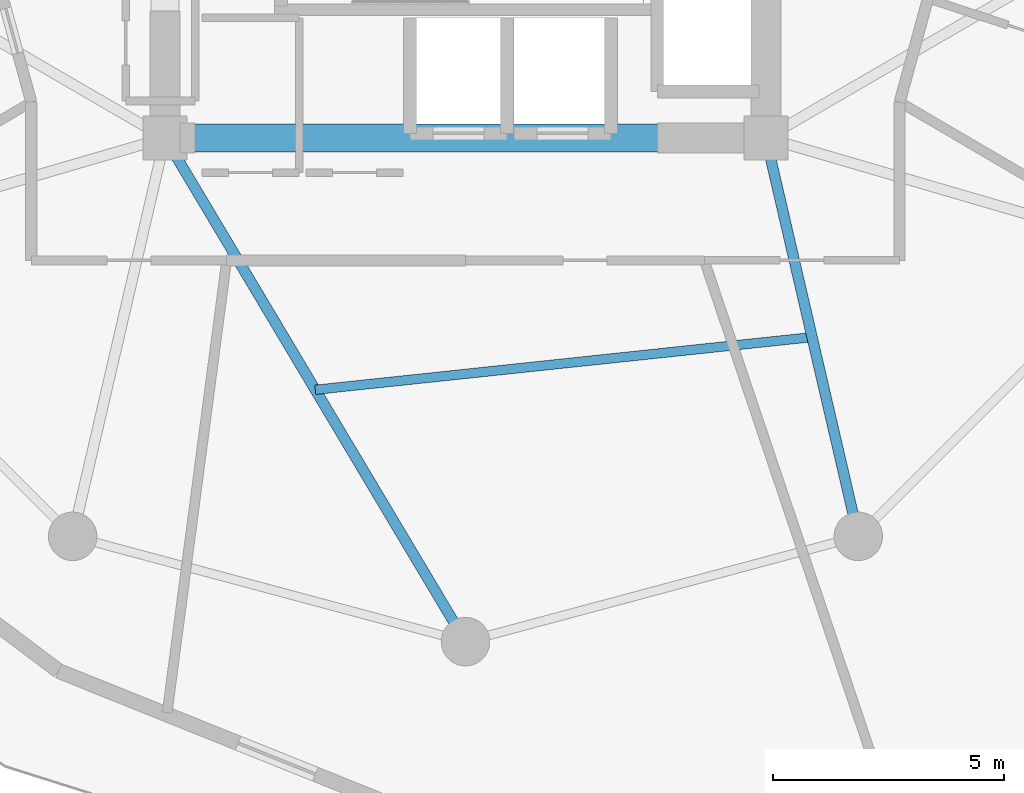
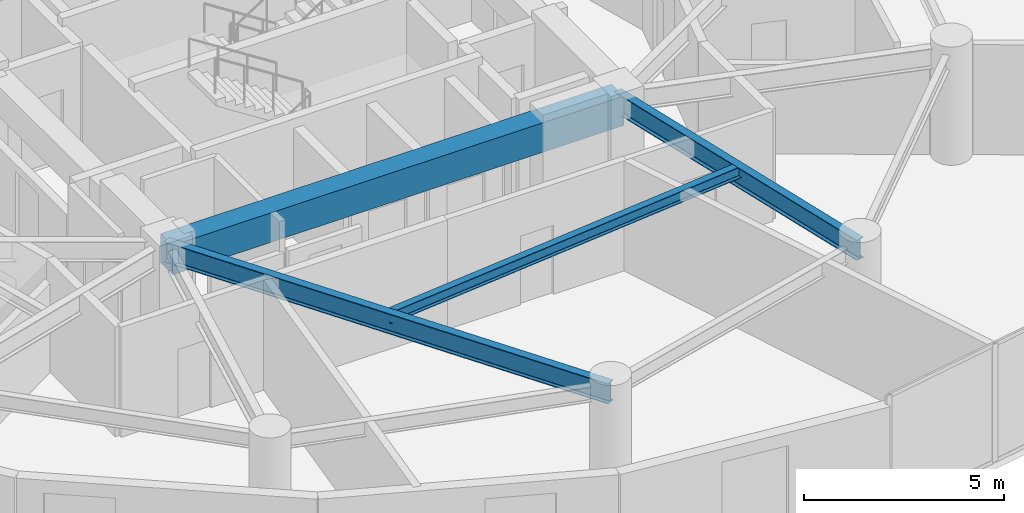
# One storey, part 5 of 25: 4 beams.
"""IFC4 building model written with IfcOpenShell, lengths in metres."""

from ifc_helpers import new_model, si_unit, direction, frame, origin, origin_2d, place, context, subcontext, project, spatial, rectangle, i_section, extrude, material, material_profile, profile_set, type_object, element, save


model = new_model("IFC4")

# Units and contexts
model_context = context("Model", 3, precision=1e-05, world=origin(), true_north=direction((0.0, 1.0)))
body_context = subcontext(model_context, "Body", "Model", "MODEL_VIEW")
ifc_project = project(units=[si_unit("LENGTHUNIT", "METRE"), si_unit("AREAUNIT", "SQUARE_METRE"), si_unit("VOLUMEUNIT", "CUBIC_METRE"), si_unit("PLANEANGLEUNIT", "RADIAN"), si_unit("MASSUNIT", "GRAM", prefix="KILO")], contexts=[model_context])

# Site, building, storey
site_placement = place(None, origin())
site = spatial("IfcSite", under=ifc_project, at=site_placement, CompositionType="ELEMENT")
building_placement = place(site_placement, origin())
building = spatial("IfcBuilding", under=site, at=building_placement, Name="Solvirekh Grand Hotel", CompositionType="ELEMENT")
storey_placement = place(building_placement, frame((0.0, 0.0, 106.199951171875)))
storey = spatial("IfcBuildingStorey", under=building, at=storey_placement, Name="L26", CompositionType="ELEMENT", Elevation=106.199951171875)

# Beams
ifc_material_1 = material(Name="Concrete C50/60", Category="concrete")
ifc_material_profile_1 = material_profile(ifc_material_1, rectangle(XDim=0.60009765625, YDim=0.89990234375, at=origin_2d()), Name="RC BEAM 600X900")
ifc_profile_set_1 = profile_set([ifc_material_profile_1], Name="Concrete C50/60")
beam_type_1 = type_object("IfcBeamType", Name="Beam_Core_RC900", PredefinedType="BEAM", material=ifc_profile_set_1)
beam_1_placement = place(storey_placement, frame((-6.5, -6.10009765625, 2.900146484375), z_axis=(1.0, 0.0, 0.0), x_axis=(0.0, 1.0, 0.0)))
element("IfcBeam", 1, at=beam_1_placement, inside=storey, type_object=beam_type_1, Name="L26 core coupling ring beam 1", PredefinedType="BEAM", context=body_context, shape_type="SweptSolid", body=[
    extrude(rectangle(XDim=0.60009765625, YDim=0.89990234375, at=origin_2d()), origin(), (0.0, 0.0, 1.0), 13.0),
])
ifc_material_2 = material(Name="Steel S355", Category="steel")
ifc_material_profile_2 = material_profile(ifc_material_2, i_section(OverallWidth=0.22802734375, OverallDepth=0.616943359375, WebThickness=0.012939453125, FlangeThickness=0.02001953125, FilletRadius=0.014892578125, at=origin_2d()), Name="W610X140")
ifc_profile_set_2 = profile_set([ifc_material_profile_2], Name="Steel S355")
beam_type_2 = type_object("IfcBeamType", Name="Beam_Radial_W610", PredefinedType="BEAM", material=ifc_profile_set_2)
beam_2_placement = place(storey_placement, frame((-6.5, -6.10009765625, 3.0419921875), z_axis=(0.512179721377, -0.858878299301, 0.0), x_axis=(0.858878299301, 0.512179721377, 0.0)))
element("IfcBeam", 2, at=beam_2_placement, inside=storey, type_object=beam_type_2, Name="L26 radial floor beam R10", PredefinedType="BEAM", context=body_context, shape_type="SweptSolid", body=[
    extrude(i_section(OverallWidth=0.22802734375, OverallDepth=0.616943359375, WebThickness=0.012939453125, FlangeThickness=0.02001953125, FilletRadius=0.014892578125, at=origin_2d()), origin(), (0.0, 0.0, 1.0), 12.69091796875),
])
beam_3_placement = place(storey_placement, frame((6.5, -6.10009765625, 3.0419921875), z_axis=(0.225969390542, -0.974134402707, 0.0), x_axis=(0.974134402707, 0.225969390542, 0.0)))
element("IfcBeam", 3, at=beam_3_placement, inside=storey, type_object=beam_type_2, Name="L26 radial floor beam R11", PredefinedType="BEAM", context=body_context, shape_type="SweptSolid", body=[
    extrude(i_section(OverallWidth=0.22802734375, OverallDepth=0.616943359375, WebThickness=0.012939453125, FlangeThickness=0.02001953125, FilletRadius=0.014892578125, at=origin_2d()), origin(), (0.0, 0.0, 1.0), 8.850830078125),
])
ifc_material_profile_3 = material_profile(ifc_material_2, i_section(OverallWidth=0.2041015625, OverallDepth=0.35009765625, WebThickness=0.009033203125, FlangeThickness=0.014892578125, FilletRadius=0.010986328125, at=origin_2d()), Name="W360X72")
ifc_profile_set_3 = profile_set([ifc_material_profile_3], Name="Steel S355")
beam_type_3 = type_object("IfcBeamType", Name="Joist_Floor_W360", PredefinedType="JOIST", material=ifc_profile_set_3)
beam_4_placement = place(storey_placement, frame((-3.25, -11.550048828125, 3.175048828125), z_axis=(0.994432198761, 0.105378375714, 0.0), x_axis=(-0.105378375714, 0.994432198761, 0.0)))
element("IfcBeam", 4, at=beam_4_placement, inside=storey, type_object=beam_type_3, Name="L26 secondary composite floor joist 10", PredefinedType="JOIST", context=body_context, shape_type="SweptSolid", body=[
    extrude(i_section(OverallWidth=0.2041015625, OverallDepth=0.35009765625, WebThickness=0.009033203125, FlangeThickness=0.014892578125, FilletRadius=0.010986328125, at=origin_2d()), origin(), (0.0, 0.0, 1.0), 10.810302734375),
])

save(model, "model.ifc")
